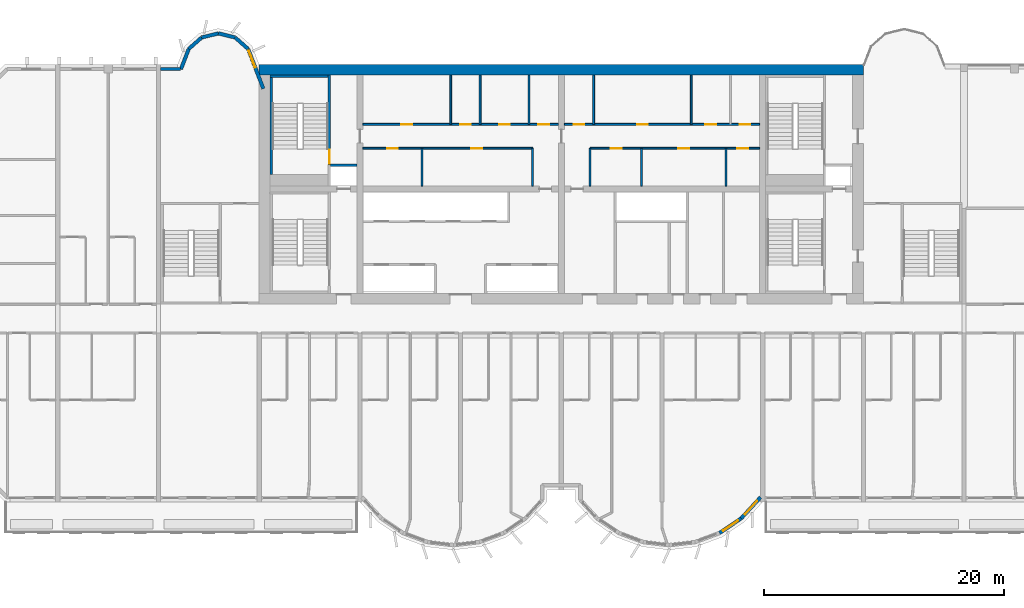
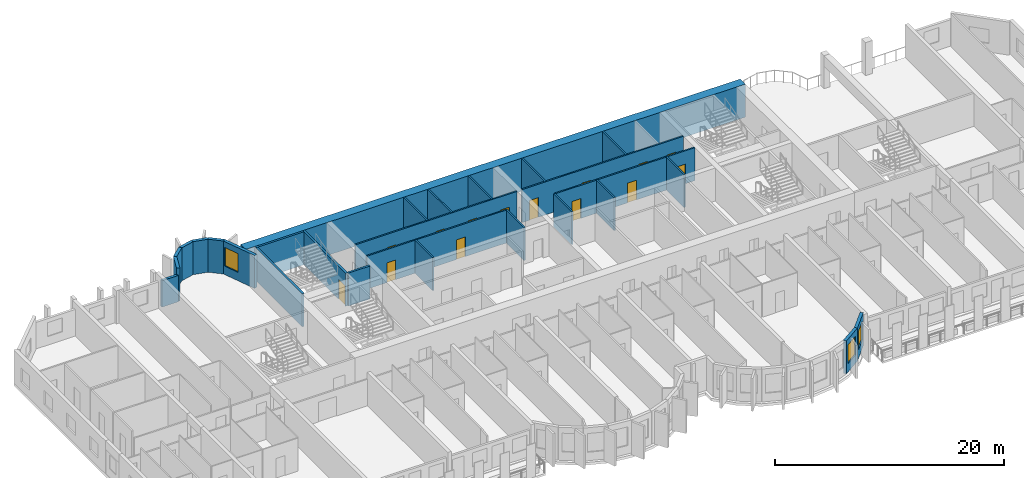
# One storey, part 8 of 15: 28 walls, 14 doors, 3 windows, 17 openings.
"""IFC4 building model written with IfcOpenShell, lengths in metres."""

from ifc_helpers import new_model, si_unit, direction, frame, frame_2d, origin, place, context, subcontext, project, spatial, rectangle, extrude, source, transform, mapped, material, layer, layer_set, type_object, element, fill, save


model = new_model("IFC4")

# Units and contexts
model_context = context("Model", 3, precision=1e-05, world=origin(), true_north=direction((0.0, 1.0)))
body_context = subcontext(model_context, "Body", "Model", "MODEL_VIEW")
ifc_project = project(units=[si_unit("LENGTHUNIT", "METRE"), si_unit("AREAUNIT", "SQUARE_METRE"), si_unit("VOLUMEUNIT", "CUBIC_METRE"), si_unit("PLANEANGLEUNIT", "RADIAN"), si_unit("MASSUNIT", "GRAM", prefix="KILO")], contexts=[model_context])

# Site, building, storey
site_placement = place(None, origin())
site = spatial("IfcSite", under=ifc_project, at=site_placement, CompositionType="ELEMENT")
building_placement = place(site_placement, origin())
building = spatial("IfcBuilding", under=site, at=building_placement, Name="Vanashikhar Sky Hotel", CompositionType="ELEMENT")
storey_placement = place(building_placement, frame((0.0, 0.0, 91.39990234375)))
storey = spatial("IfcBuildingStorey", under=building, at=storey_placement, Name="L21", CompositionType="ELEMENT", Elevation=91.39990234375)

# Wall
ifc_material_1 = material(Name="Concrete M70", Category="concrete")
ifc_layer_1 = layer(ifc_material_1, 0.89990234375)
ifc_layer_set_1 = layer_set([ifc_layer_1], Name="RC core shell wall 900 Concrete M70")
wall_type_1 = type_object("IfcWallType", Name="RC core shell wall 900 Concrete M70", PredefinedType="SHEAR", material=ifc_layer_set_1)
shared_shape_1 = source(origin(), body_context, "Body", "SweptSolid", [
    extrude(rectangle(XDim=50.400146484375, YDim=0.89990234375, at=frame_2d((25.2001953125, 0.0))), origin(), (0.0, 0.0, 1.0), 3.52001953125),
])
wall_1_placement = place(storey_placement, frame((25.199951171875, 41.550048828125, 0.0), z_axis=(0.0, 0.0, 1.0), x_axis=(1.0, 0.0, 0.0)))
element("IfcWall", 1, at=wall_1_placement, inside=storey, type_object=wall_type_1, Name="KW-L21-KN", PredefinedType="SHEAR", context=body_context, shape_type="MappedRepresentation", body=[
    mapped(shared_shape_1, transform((0.0, 0.0, 0.0), scale=1.0)),
])

# Wall, opening, window
ifc_material_2 = material(Name="Concrete M50", Category="concrete")
ifc_layer_2 = layer(ifc_material_2, 0.300048828125)
ifc_layer_set_2 = layer_set([ifc_layer_2], Name="Lobe wall 300")
wall_type_2 = type_object("IfcWallType", Name="Lobe wall 300", PredefinedType="SOLIDWALL", material=ifc_layer_set_2)
shared_shape_2 = source(origin(), body_context, "Body", "SweptSolid", [
    extrude(rectangle(XDim=2.398193359375, YDim=0.300048828125, at=frame_2d((1.19921875, 0.0))), origin(), (0.0, 0.0, 1.0), 3.52001953125),
])
wall_2_placement = place(storey_placement, frame((65.404296875, 4.13134765625, 0.0), z_axis=(0.0, 0.0, 1.0), x_axis=(0.675374189419, 0.737475222815, 0.0)))
wall_2 = element("IfcWall", 2, at=wall_2_placement, inside=storey, type_object=wall_type_2, Name="Lobe wall", PredefinedType="SOLIDWALL", context=body_context, shape_type="MappedRepresentation", body=[
    mapped(shared_shape_2, transform((0.0, 0.0, 0.0), scale=1.0)),
])
shared_shape_3 = source(origin(), body_context, "Body", "SweptSolid", [
    extrude(rectangle(XDim=1.5, YDim=2.0, at=frame_2d((0.75, 1.0))), frame((0.0, 0.16015625, 0.0), z_axis=(0.0, -1.0, 0.0), x_axis=(1.0, 0.0, 0.0)), (0.0, 0.0, 1.0), 0.320068359375),
])
opening_1_placement = place(wall_2_placement, frame((0.44921875, 0.0, 0.89990234375)))
opening_1 = element("IfcOpeningElement", 3, at=opening_1_placement, cuts=wall_2, Name="Opening WN-2", PredefinedType="OPENING", context=body_context, shape_type="MappedRepresentation", body=[
    mapped(shared_shape_3, transform((0.0, 0.0, 0.0), scale=1.0)),
])
ifc_material_3 = material(Name="Glass", Category="glass")
window_type = type_object("IfcWindowType", Name="Lobe window 1500 x 2000", PartitioningType="SINGLE_PANEL", PredefinedType="WINDOW", material=ifc_material_3)
shared_shape_4 = source(origin(), body_context, "Body", "SweptSolid", [
    extrude(rectangle(XDim=1.5, YDim=2.0, at=frame_2d((0.75, 1.0))), frame((0.0, 0.030029296875, 0.0), z_axis=(0.0, -1.0, 0.0), x_axis=(1.0, 0.0, 0.0)), (0.0, 0.0, 1.0), 0.06005859375),
])
window_1_placement = place(opening_1_placement, origin())
window_1 = element("IfcWindow", 4, at=window_1_placement, inside=storey, type_object=window_type, Name="Window WN-2", OverallHeight=2.0, OverallWidth=1.5, PartitioningType="SINGLE_PANEL", PredefinedType="WINDOW", context=body_context, shape_type="MappedRepresentation", body=[
    mapped(shared_shape_4, transform((0.0, 0.0, 0.0), scale=1.0)),
])
fill(opening_1, window_1)

shared_shape_5 = source(origin(), body_context, "Body", "SweptSolid", [
    extrude(rectangle(XDim=2.17578125, YDim=0.300048828125, at=frame_2d((1.087890625, 0.0))), origin(), (0.0, 0.0, 1.0), 3.52001953125),
])
wall_3_placement = place(storey_placement, frame((63.59912109375, 2.91650390625, 0.0), z_axis=(0.0, 0.0, 1.0), x_axis=(0.829625727223, 0.558319937607, 0.0)))
wall_3 = element("IfcWall", 5, at=wall_3_placement, inside=storey, type_object=wall_type_2, Name="Lobe wall", PredefinedType="SOLIDWALL", context=body_context, shape_type="MappedRepresentation", body=[
    mapped(shared_shape_5, transform((0.0, 0.0, 0.0), scale=1.0)),
])
opening_2_placement = place(wall_3_placement, frame((0.337890625, 0.0, 0.89990234375)))
opening_2 = element("IfcOpeningElement", 6, at=opening_2_placement, cuts=wall_3, Name="Opening WN-2", PredefinedType="OPENING", context=body_context, shape_type="MappedRepresentation", body=[
    mapped(shared_shape_3, transform((0.0, 0.0, 0.0), scale=1.0)),
])
window_2_placement = place(opening_2_placement, origin())
window_2 = element("IfcWindow", 7, at=window_2_placement, inside=storey, type_object=window_type, Name="Window WN-2", OverallHeight=2.0, OverallWidth=1.5, PartitioningType="SINGLE_PANEL", PredefinedType="WINDOW", context=body_context, shape_type="MappedRepresentation", body=[
    mapped(shared_shape_4, transform((0.0, 0.0, 0.0), scale=1.0)),
])
fill(opening_2, window_2)

shared_shape_6 = source(origin(), body_context, "Body", "SweptSolid", [
    extrude(rectangle(XDim=3.55908203125, YDim=0.300048828125, at=frame_2d((1.779541015625, 0.0))), origin(), (0.0, 0.0, 1.0), 3.52001953125),
])
wall_4_placement = place(storey_placement, frame((25.550048828125, 39.968505859375, 0.0), z_axis=(0.0, 0.0, 1.0), x_axis=(-0.35779745313, 0.933799219604, 0.0)))
wall_4 = element("IfcWall", 8, at=wall_4_placement, inside=storey, type_object=wall_type_2, Name="Lobe wall", PredefinedType="SOLIDWALL", context=body_context, shape_type="MappedRepresentation", body=[
    mapped(shared_shape_6, transform((0.0, 0.0, 0.0), scale=1.0)),
])
opening_3_placement = place(wall_4_placement, frame((1.9033203125, 0.0, 0.89990234375)))
opening_3 = element("IfcOpeningElement", 9, at=opening_3_placement, cuts=wall_4, Name="Opening WN-2", PredefinedType="OPENING", context=body_context, shape_type="MappedRepresentation", body=[
    mapped(shared_shape_3, transform((0.0, 0.0, 0.0), scale=1.0)),
])
window_3_placement = place(opening_3_placement, origin())
window_3 = element("IfcWindow", 10, at=window_3_placement, inside=storey, type_object=window_type, Name="Window WN-2", OverallHeight=2.0, OverallWidth=1.5, PartitioningType="SINGLE_PANEL", PredefinedType="WINDOW", context=body_context, shape_type="MappedRepresentation", body=[
    mapped(shared_shape_4, transform((0.0, 0.0, 0.0), scale=1.0)),
])
fill(opening_3, window_3)

# Walls
shared_shape_7 = source(origin(), body_context, "Body", "SweptSolid", [
    extrude(rectangle(XDim=1.440185546875, YDim=0.300048828125, at=frame_2d((0.72021484375, 0.0))), origin(), (0.0, 0.0, 1.0), 3.52001953125),
])
wall_5_placement = place(storey_placement, frame((24.276611328125, 43.2919921875, 0.0), z_axis=(0.0, 0.0, 1.0), x_axis=(-0.749649827867, 0.661834673902, 0.0)))
element("IfcWall", 11, at=wall_5_placement, inside=storey, type_object=wall_type_2, Name="Lobe wall", PredefinedType="SOLIDWALL", context=body_context, shape_type="MappedRepresentation", body=[
    mapped(shared_shape_7, transform((0.0, 0.0, 0.0), scale=1.0)),
])
shared_shape_8 = source(origin(), body_context, "Body", "SweptSolid", [
    extrude(rectangle(XDim=1.4384765625, YDim=0.300048828125, at=frame_2d((0.71923828125, 0.0))), origin(), (0.0, 0.0, 1.0), 3.52001953125),
])
wall_6_placement = place(storey_placement, frame((23.197021484375, 44.2451171875, 0.0), z_axis=(0.0, 0.0, 1.0), x_axis=(-0.971152283879, 0.238460146601, 0.0)))
element("IfcWall", 12, at=wall_6_placement, inside=storey, type_object=wall_type_2, Name="Lobe wall", PredefinedType="SOLIDWALL", context=body_context, shape_type="MappedRepresentation", body=[
    mapped(shared_shape_8, transform((0.0, 0.0, 0.0), scale=1.0)),
])
shared_shape_9 = source(origin(), body_context, "Body", "SweptSolid", [
    extrude(rectangle(XDim=1.438720703125, YDim=0.300048828125, at=frame_2d((0.71923828125, 0.0))), origin(), (0.0, 0.0, 1.0), 3.52001953125),
])
wall_7_placement = place(storey_placement, frame((21.800048828125, 44.588134765625, 0.0), z_axis=(0.0, 0.0, 1.0), x_axis=(-0.971161932466, -0.238420848351, 0.0)))
element("IfcWall", 13, at=wall_7_placement, inside=storey, type_object=wall_type_2, Name="Lobe wall", PredefinedType="SOLIDWALL", context=body_context, shape_type="MappedRepresentation", body=[
    mapped(shared_shape_9, transform((0.0, 0.0, 0.0), scale=1.0)),
])
shared_shape_10 = source(origin(), body_context, "Body", "SweptSolid", [
    extrude(rectangle(XDim=1.43994140625, YDim=0.300048828125, at=frame_2d((0.719970703125, 0.0))), origin(), (0.0, 0.0, 1.0), 3.52001953125),
])
wall_8_placement = place(storey_placement, frame((20.40283203125, 44.2451171875, 0.0), z_axis=(0.0, 0.0, 1.0), x_axis=(-0.74957555648, -0.661918790432, 0.0)))
element("IfcWall", 14, at=wall_8_placement, inside=storey, type_object=wall_type_2, Name="Lobe wall", PredefinedType="SOLIDWALL", context=body_context, shape_type="MappedRepresentation", body=[
    mapped(shared_shape_10, transform((0.0, 0.0, 0.0), scale=1.0)),
])
shared_shape_11 = source(origin(), body_context, "Body", "SweptSolid", [
    extrude(rectangle(XDim=1.81201171875, YDim=0.300048828125, at=frame_2d((0.906005859375, 0.0))), origin(), (0.0, 0.0, 1.0), 3.52001953125),
])
wall_9_placement = place(storey_placement, frame((19.323486328125, 43.2919921875, 0.0), z_axis=(0.0, 0.0, 1.0), x_axis=(-0.357877270961, -0.93376863244, 0.0)))
element("IfcWall", 15, at=wall_9_placement, inside=storey, type_object=wall_type_2, Name="Lobe wall", PredefinedType="SOLIDWALL", context=body_context, shape_type="MappedRepresentation", body=[
    mapped(shared_shape_11, transform((0.0, 0.0, 0.0), scale=1.0)),
])
ifc_layer_3 = layer(ifc_material_2, 0.25)
ifc_layer_set_3 = layer_set([ifc_layer_3], Name="Rear and end board-marked wall 250")
wall_type_3 = type_object("IfcWallType", Name="Rear and end board-marked wall 250", PredefinedType="SOLIDWALL", material=ifc_layer_set_3)
shared_shape_12 = source(origin(), body_context, "Body", "SweptSolid", [
    extrude(rectangle(XDim=1.682861328125, YDim=0.25, at=frame_2d((0.84130859375, 0.0))), origin(), (0.0, 0.0, 1.0), 2.820068359375),
])
wall_10_placement = place(storey_placement, frame((18.657958984375, 41.625, 0.0), z_axis=(0.0, 0.0, 1.0), x_axis=(-1.0, 0.0, 0.0)))
element("IfcWall", 16, at=wall_10_placement, inside=storey, type_object=wall_type_3, Name="Rear board-marked wall", PredefinedType="SOLIDWALL", context=body_context, shape_type="MappedRepresentation", body=[
    mapped(shared_shape_12, transform((0.0, 0.0, 0.0), scale=1.0)),
])
ifc_material_4 = material(Name="Gypsum board partition")
ifc_layer_4 = layer(ifc_material_4, 0.14990234375)
ifc_layer_set_4 = layer_set([ifc_layer_4], Name="Service partition 150")
wall_type_4 = type_object("IfcWallType", Name="Service partition 150", PredefinedType="PARTITIONING", material=ifc_layer_set_4)
shared_shape_13 = source(origin(), body_context, "Body", "SweptSolid", [
    extrude(rectangle(XDim=3.14990234375, YDim=0.14990234375, at=frame_2d((1.574951171875, 0.0))), origin(), (0.0, 0.0, 1.0), 3.52001953125),
])
for number, where, z_axis, x_axis, name in (
    (17, (48.0, 31.85009765625, 0.0), (0.0, 0.0, 1.0), (0.0, 1.0, 0.0), "Service partition 150"),
    (18, (38.77587890625, 31.85009765625, 0.0), (0.0, 0.0, 1.0), (0.0, 1.0, 0.0), "Service partition 150"),
    (19, (52.800048828125, 31.85009765625, 0.0), (0.0, 0.0, 1.0), (0.0, 1.0, 0.0), "Service partition 150"),
    (20, (64.135009765625, 31.85009765625, 0.0), (0.0, 0.0, 1.0), (0.0, 1.0, 0.0), "Service partition 150"),
    (21, (57.096923828125, 31.85009765625, 0.0), (0.0, 0.0, 1.0), (0.0, 1.0, 0.0), "Service partition 150"),
):
    element("IfcWall", number, at=place(storey_placement, frame(where, z_axis=z_axis, x_axis=x_axis)), inside=storey, type_object=wall_type_4, Name=name, PredefinedType="PARTITIONING", context=body_context, shape_type="MappedRepresentation", body=[
        mapped(shared_shape_13, transform((0.0, 0.0, 0.0), scale=1.0)),
    ])

# Wall, openings, doors
shared_shape_14 = source(origin(), body_context, "Body", "SweptSolid", [
    extrude(rectangle(XDim=14.14990234375, YDim=0.14990234375, at=frame_2d((7.074951171875, 0.0))), origin(), (0.0, 0.0, 1.0), 3.52001953125),
])
wall_11_placement = place(storey_placement, frame((33.85009765625, 35.0, 0.0), z_axis=(0.0, 0.0, 1.0), x_axis=(1.0, 0.0, 0.0)))
wall_11 = element("IfcWall", 22, at=wall_11_placement, inside=storey, type_object=wall_type_4, Name="Service partition 150", PredefinedType="PARTITIONING", context=body_context, shape_type="MappedRepresentation", body=[
    mapped(shared_shape_14, transform((0.0, 0.0, 0.0), scale=1.0)),
])
shared_shape_15 = source(origin(), body_context, "Body", "SweptSolid", [
    extrude(rectangle(XDim=0.89990234375, YDim=2.10009765625, at=frame_2d((0.449951171875, 1.050048828125))), frame((0.0, 0.0849609375, 0.0), z_axis=(0.0, -1.0, 0.0), x_axis=(1.0, 0.0, 0.0)), (0.0, 0.0, 1.0), 0.169921875),
])
opening_4_placement = place(wall_11_placement, frame((2.012939453125, 0.0, 0.0)))
opening_4 = element("IfcOpeningElement", 23, at=opening_4_placement, cuts=wall_11, Name="Opening DC-4-A", PredefinedType="OPENING", context=body_context, shape_type="MappedRepresentation", body=[
    mapped(shared_shape_15, transform((0.0, 0.0, 0.0), scale=1.0)),
])
opening_5_placement = place(wall_11_placement, frame((9.051025390625, 0.0, 0.0)))
opening_5 = element("IfcOpeningElement", 24, at=opening_5_placement, cuts=wall_11, Name="Opening DC-4-A", PredefinedType="OPENING", context=body_context, shape_type="MappedRepresentation", body=[
    mapped(shared_shape_15, transform((0.0, 0.0, 0.0), scale=1.0)),
])
ifc_material_5 = material(Name="Steel", Category="steel")
door_type_1 = type_object("IfcDoorType", Name="Service door 900 FD60", OperationType="NOTDEFINED", PredefinedType="DOOR", material=ifc_material_5)
shared_shape_16 = source(origin(), body_context, "Body", "SweptSolid", [
    extrude(rectangle(XDim=0.89990234375, YDim=2.10009765625, at=frame_2d((0.449951171875, 1.050048828125))), frame((0.0, 0.02490234375, 0.0), z_axis=(0.0, -1.0, 0.0), x_axis=(1.0, 0.0, 0.0)), (0.0, 0.0, 1.0), 0.050048828125),
])
door_1_placement = place(opening_4_placement, origin())
door_1 = element("IfcDoor", 25, at=door_1_placement, inside=storey, type_object=door_type_1, Name="Service door 900 FD60", OperationType="SINGLE_SWING_RIGHT", OverallHeight=2.10009765625, OverallWidth=0.89990234375, PredefinedType="DOOR", context=body_context, shape_type="MappedRepresentation", body=[
    mapped(shared_shape_16, transform((0.0, 0.0, 0.0), scale=1.0)),
])
fill(opening_4, door_1)
door_2_placement = place(opening_5_placement, origin())
door_2 = element("IfcDoor", 26, at=door_2_placement, inside=storey, type_object=door_type_1, Name="Service door 900 FD60", OperationType="SINGLE_SWING_RIGHT", OverallHeight=2.10009765625, OverallWidth=0.89990234375, PredefinedType="DOOR", context=body_context, shape_type="MappedRepresentation", body=[
    mapped(shared_shape_16, transform((0.0, 0.0, 0.0), scale=1.0)),
])
fill(opening_5, door_2)

wall_12_placement = place(storey_placement, frame((66.949951171875, 35.0, 0.0), z_axis=(0.0, 0.0, 1.0), x_axis=(-1.0, 0.0, 0.0)))
wall_12 = element("IfcWall", 27, at=wall_12_placement, inside=storey, type_object=wall_type_4, Name="Service partition 150", PredefinedType="PARTITIONING", context=body_context, shape_type="MappedRepresentation", body=[
    mapped(shared_shape_14, transform((0.0, 0.0, 0.0), scale=1.0)),
])
opening_6_placement = place(wall_12_placement, frame((0.9580078125, 0.0, 0.0)))
opening_6 = element("IfcOpeningElement", 28, at=opening_6_placement, cuts=wall_12, Name="Opening DC-4-A", PredefinedType="OPENING", context=body_context, shape_type="MappedRepresentation", body=[
    mapped(shared_shape_15, transform((0.0, 0.0, 0.0), scale=1.0)),
])
opening_7_placement = place(wall_12_placement, frame((5.884033203125, 0.0, 0.0)))
opening_7 = element("IfcOpeningElement", 29, at=opening_7_placement, cuts=wall_12, Name="Opening DC-4-A", PredefinedType="OPENING", context=body_context, shape_type="MappedRepresentation", body=[
    mapped(shared_shape_15, transform((0.0, 0.0, 0.0), scale=1.0)),
])
opening_8_placement = place(wall_12_placement, frame((11.513916015625, 0.0, 0.0)))
opening_8 = element("IfcOpeningElement", 30, at=opening_8_placement, cuts=wall_12, Name="Opening DC-4-A", PredefinedType="OPENING", context=body_context, shape_type="MappedRepresentation", body=[
    mapped(shared_shape_15, transform((0.0, 0.0, 0.0), scale=1.0)),
])
door_3_placement = place(opening_6_placement, origin())
door_3 = element("IfcDoor", 31, at=door_3_placement, inside=storey, type_object=door_type_1, Name="Service door 900 FD60", OperationType="SINGLE_SWING_RIGHT", OverallHeight=2.10009765625, OverallWidth=0.89990234375, PredefinedType="DOOR", context=body_context, shape_type="MappedRepresentation", body=[
    mapped(shared_shape_16, transform((0.0, 0.0, 0.0), scale=1.0)),
])
fill(opening_6, door_3)
door_4_placement = place(opening_7_placement, origin())
door_4 = element("IfcDoor", 32, at=door_4_placement, inside=storey, type_object=door_type_1, Name="Service door 900 FD60", OperationType="SINGLE_SWING_RIGHT", OverallHeight=2.10009765625, OverallWidth=0.89990234375, PredefinedType="DOOR", context=body_context, shape_type="MappedRepresentation", body=[
    mapped(shared_shape_16, transform((0.0, 0.0, 0.0), scale=1.0)),
])
fill(opening_7, door_4)
door_5_placement = place(opening_8_placement, origin())
door_5 = element("IfcDoor", 33, at=door_5_placement, inside=storey, type_object=door_type_1, Name="Service door 900 FD60", OperationType="SINGLE_SWING_LEFT", OverallHeight=2.10009765625, OverallWidth=0.89990234375, PredefinedType="DOOR", context=body_context, shape_type="MappedRepresentation", body=[
    mapped(shared_shape_16, transform((0.0, 0.0, 0.0), scale=1.0)),
])
fill(opening_8, door_5)

shared_shape_17 = source(origin(), body_context, "Body", "SweptSolid", [
    extrude(rectangle(XDim=16.2998046875, YDim=0.14990234375, at=frame_2d((8.14990234375, 0.0))), origin(), (0.0, 0.0, 1.0), 3.52001953125),
])
wall_13_placement = place(storey_placement, frame((33.85009765625, 37.0, 0.0), z_axis=(0.0, 0.0, 1.0), x_axis=(1.0, 0.0, 0.0)))
wall_13 = element("IfcWall", 34, at=wall_13_placement, inside=storey, type_object=wall_type_4, Name="Service partition 150", PredefinedType="PARTITIONING", context=body_context, shape_type="MappedRepresentation", body=[
    mapped(shared_shape_17, transform((0.0, 0.0, 0.0), scale=1.0)),
])
opening_9_placement = place(wall_13_placement, frame((3.217041015625, 0.0, 0.0)))
opening_9 = element("IfcOpeningElement", 35, at=opening_9_placement, cuts=wall_13, Name="Opening DC-4-A", PredefinedType="OPENING", context=body_context, shape_type="MappedRepresentation", body=[
    mapped(shared_shape_15, transform((0.0, 0.0, 0.0), scale=1.0)),
])
opening_10_placement = place(wall_13_placement, frame((8.10693359375, 0.0, 0.0)))
opening_10 = element("IfcOpeningElement", 36, at=opening_10_placement, cuts=wall_13, Name="Opening DC-4-A", PredefinedType="OPENING", context=body_context, shape_type="MappedRepresentation", body=[
    mapped(shared_shape_15, transform((0.0, 0.0, 0.0), scale=1.0)),
])
opening_11_placement = place(wall_13_placement, frame((11.367919921875, 0.0, 0.0)))
opening_11 = element("IfcOpeningElement", 37, at=opening_11_placement, cuts=wall_13, Name="Opening DC-4-A", PredefinedType="OPENING", context=body_context, shape_type="MappedRepresentation", body=[
    mapped(shared_shape_15, transform((0.0, 0.0, 0.0), scale=1.0)),
])
opening_12_placement = place(wall_13_placement, frame((14.626953125, 0.0, 0.0)))
opening_12 = element("IfcOpeningElement", 38, at=opening_12_placement, cuts=wall_13, Name="Opening DC-4-A", PredefinedType="OPENING", context=body_context, shape_type="MappedRepresentation", body=[
    mapped(shared_shape_15, transform((0.0, 0.0, 0.0), scale=1.0)),
])
door_6_placement = place(opening_9_placement, origin())
door_6 = element("IfcDoor", 39, at=door_6_placement, inside=storey, type_object=door_type_1, Name="Service door 900 FD60", OperationType="SINGLE_SWING_RIGHT", OverallHeight=2.10009765625, OverallWidth=0.89990234375, PredefinedType="DOOR", context=body_context, shape_type="MappedRepresentation", body=[
    mapped(shared_shape_16, transform((0.0, 0.0, 0.0), scale=1.0)),
])
fill(opening_9, door_6)
door_7_placement = place(opening_10_placement, origin())
door_7 = element("IfcDoor", 40, at=door_7_placement, inside=storey, type_object=door_type_1, Name="Service door 900 FD60", OperationType="SINGLE_SWING_RIGHT", OverallHeight=2.10009765625, OverallWidth=0.89990234375, PredefinedType="DOOR", context=body_context, shape_type="MappedRepresentation", body=[
    mapped(shared_shape_16, transform((0.0, 0.0, 0.0), scale=1.0)),
])
fill(opening_10, door_7)
door_8_placement = place(opening_11_placement, origin())
door_8 = element("IfcDoor", 41, at=door_8_placement, inside=storey, type_object=door_type_1, Name="Service door 900 FD60", OperationType="SINGLE_SWING_RIGHT", OverallHeight=2.10009765625, OverallWidth=0.89990234375, PredefinedType="DOOR", context=body_context, shape_type="MappedRepresentation", body=[
    mapped(shared_shape_16, transform((0.0, 0.0, 0.0), scale=1.0)),
])
fill(opening_11, door_8)
door_9_placement = place(opening_12_placement, origin())
door_9 = element("IfcDoor", 42, at=door_9_placement, inside=storey, type_object=door_type_1, Name="Service door 900 FD60", OperationType="SINGLE_SWING_LEFT", OverallHeight=2.10009765625, OverallWidth=0.89990234375, PredefinedType="DOOR", context=body_context, shape_type="MappedRepresentation", body=[
    mapped(shared_shape_16, transform((0.0, 0.0, 0.0), scale=1.0)),
])
fill(opening_12, door_9)

# Walls
shared_shape_18 = source(origin(), body_context, "Body", "SweptSolid", [
    extrude(rectangle(XDim=4.10009765625, YDim=0.14990234375, at=frame_2d((2.050048828125, 0.0))), origin(), (0.0, 0.0, 1.0), 3.52001953125),
])
for number, where, z_axis, x_axis, name in (
    (43, (41.18505859375, 37.0, 0.0), (0.0, 0.0, 1.0), (0.0, 1.0, 0.0), "Service partition 150"),
    (44, (43.6298828125, 37.0, 0.0), (0.0, 0.0, 1.0), (0.0, 1.0, 0.0), "Service partition 150"),
    (45, (47.705078125, 37.0, 0.0), (0.0, 0.0, 1.0), (0.0, 1.0, 0.0), "Service partition 150"),
    (46, (61.2451171875, 37.0, 0.0), (0.0, 0.0, 1.0), (0.0, 1.0, 0.0), "Service partition 150"),
    (47, (53.094970703125, 37.0, 0.0), (0.0, 0.0, 1.0), (0.0, 1.0, 0.0), "Service partition 150"),
):
    element("IfcWall", number, at=place(storey_placement, frame(where, z_axis=z_axis, x_axis=x_axis)), inside=storey, type_object=wall_type_4, Name=name, PredefinedType="PARTITIONING", context=body_context, shape_type="MappedRepresentation", body=[
        mapped(shared_shape_18, transform((0.0, 0.0, 0.0), scale=1.0)),
    ])

# Wall, openings, doors
shared_shape_19 = source(origin(), body_context, "Body", "SweptSolid", [
    extrude(rectangle(XDim=16.300048828125, YDim=0.14990234375, at=frame_2d((8.14990234375, 0.0))), origin(), (0.0, 0.0, 1.0), 3.52001953125),
])
wall_14_placement = place(storey_placement, frame((66.949951171875, 37.0, 0.0), z_axis=(0.0, 0.0, 1.0), x_axis=(-1.0, 0.0, 0.0)))
wall_14 = element("IfcWall", 48, at=wall_14_placement, inside=storey, type_object=wall_type_4, Name="Service partition 150", PredefinedType="PARTITIONING", context=body_context, shape_type="MappedRepresentation", body=[
    mapped(shared_shape_19, transform((0.0, 0.0, 0.0), scale=1.0)),
])
opening_13_placement = place(wall_14_placement, frame((0.77294921875, 0.0, 0.0)))
opening_13 = element("IfcOpeningElement", 49, at=opening_13_placement, cuts=wall_14, Name="Opening DC-4-A", PredefinedType="OPENING", context=body_context, shape_type="MappedRepresentation", body=[
    mapped(shared_shape_15, transform((0.0, 0.0, 0.0), scale=1.0)),
])
opening_14_placement = place(wall_14_placement, frame((3.625, 0.0, 0.0)))
opening_14 = element("IfcOpeningElement", 50, at=opening_14_placement, cuts=wall_14, Name="Opening DC-4-A", PredefinedType="OPENING", context=body_context, shape_type="MappedRepresentation", body=[
    mapped(shared_shape_15, transform((0.0, 0.0, 0.0), scale=1.0)),
])
opening_15_placement = place(wall_14_placement, frame((9.330078125, 0.0, 0.0)))
opening_15 = element("IfcOpeningElement", 51, at=opening_15_placement, cuts=wall_14, Name="Opening DC-4-A", PredefinedType="OPENING", context=body_context, shape_type="MappedRepresentation", body=[
    mapped(shared_shape_15, transform((0.0, 0.0, 0.0), scale=1.0)),
])
opening_16_placement = place(wall_14_placement, frame((14.626953125, 0.0, 0.0)))
opening_16 = element("IfcOpeningElement", 52, at=opening_16_placement, cuts=wall_14, Name="Opening DC-4-A", PredefinedType="OPENING", context=body_context, shape_type="MappedRepresentation", body=[
    mapped(shared_shape_15, transform((0.0, 0.0, 0.0), scale=1.0)),
])
door_10_placement = place(opening_13_placement, origin())
door_10 = element("IfcDoor", 53, at=door_10_placement, inside=storey, type_object=door_type_1, Name="Service door 900 FD60", OperationType="SINGLE_SWING_LEFT", OverallHeight=2.10009765625, OverallWidth=0.89990234375, PredefinedType="DOOR", context=body_context, shape_type="MappedRepresentation", body=[
    mapped(shared_shape_16, transform((0.0, 0.0, 0.0), scale=1.0)),
])
fill(opening_13, door_10)
door_11_placement = place(opening_14_placement, origin())
door_11 = element("IfcDoor", 54, at=door_11_placement, inside=storey, type_object=door_type_1, Name="Service door 900 FD60", OperationType="SINGLE_SWING_RIGHT", OverallHeight=2.10009765625, OverallWidth=0.89990234375, PredefinedType="DOOR", context=body_context, shape_type="MappedRepresentation", body=[
    mapped(shared_shape_16, transform((0.0, 0.0, 0.0), scale=1.0)),
])
fill(opening_14, door_11)
door_12_placement = place(opening_15_placement, origin())
door_12 = element("IfcDoor", 55, at=door_12_placement, inside=storey, type_object=door_type_1, Name="Service door 900 FD60", OperationType="SINGLE_SWING_RIGHT", OverallHeight=2.10009765625, OverallWidth=0.89990234375, PredefinedType="DOOR", context=body_context, shape_type="MappedRepresentation", body=[
    mapped(shared_shape_16, transform((0.0, 0.0, 0.0), scale=1.0)),
])
fill(opening_15, door_12)
door_13_placement = place(opening_16_placement, origin())
door_13 = element("IfcDoor", 56, at=door_13_placement, inside=storey, type_object=door_type_1, Name="Service door 900 FD60", OperationType="SINGLE_SWING_RIGHT", OverallHeight=2.10009765625, OverallWidth=0.89990234375, PredefinedType="DOOR", context=body_context, shape_type="MappedRepresentation", body=[
    mapped(shared_shape_16, transform((0.0, 0.0, 0.0), scale=1.0)),
])
fill(opening_16, door_13)

# Wall
ifc_material_6 = material(Name="Concrete M40", Category="concrete")
ifc_layer_5 = layer(ifc_material_6, 0.199951171875)
ifc_layer_set_5 = layer_set([ifc_layer_5], Name="Shaft wall 200")
wall_type_5 = type_object("IfcWallType", Name="Shaft wall 200", PredefinedType="SOLIDWALL", material=ifc_layer_set_5)
shared_shape_20 = source(origin(), body_context, "Body", "SweptSolid", [
    extrude(rectangle(XDim=2.2001953125, YDim=0.199951171875, at=frame_2d((1.10009765625, 0.0))), origin(), (0.0, 0.0, 1.0), 3.52001953125),
])
wall_15_placement = place(storey_placement, frame((31.14990234375, 33.60009765625, 0.0), z_axis=(0.0, 0.0, 1.0), x_axis=(1.0, 0.0, 0.0)))
element("IfcWall", 57, at=wall_15_placement, inside=storey, type_object=wall_type_5, Name="Shaft wall 200", PredefinedType="SOLIDWALL", context=body_context, shape_type="MappedRepresentation", body=[
    mapped(shared_shape_20, transform((0.0, 0.0, 0.0), scale=1.0)),
])

# Wall, opening, door
ifc_layer_6 = layer(ifc_material_2, 0.199951171875)
ifc_layer_set_6 = layer_set([ifc_layer_6], Name="Stair wall 200")
wall_type_6 = type_object("IfcWallType", Name="Stair wall 200", PredefinedType="SOLIDWALL", material=ifc_layer_set_6)
shared_shape_21 = source(origin(), body_context, "Body", "SweptSolid", [
    extrude(rectangle(XDim=7.5, YDim=0.199951171875, at=frame_2d((3.75, 0.0))), origin(), (0.0, 0.0, 1.0), 3.52001953125),
])
wall_16_placement = place(storey_placement, frame((31.050048828125, 33.60009765625, 0.0), z_axis=(0.0, 0.0, 1.0), x_axis=(0.0, 1.0, 0.0)))
wall_16 = element("IfcWall", 58, at=wall_16_placement, inside=storey, type_object=wall_type_6, Name="Stair wall 200", PredefinedType="SOLIDWALL", context=body_context, shape_type="MappedRepresentation", body=[
    mapped(shared_shape_21, transform((0.0, 0.0, 0.0), scale=1.0)),
])
shared_shape_22 = source(origin(), body_context, "Body", "SweptSolid", [
    extrude(rectangle(XDim=1.199951171875, YDim=2.10009765625, at=frame_2d((0.60009765625, 1.050048828125))), frame((0.0, 0.10986328125, 0.0), z_axis=(0.0, -1.0, 0.0), x_axis=(1.0, 0.0, 0.0)), (0.0, 0.0, 1.0), 0.219970703125),
])
opening_17_placement = place(wall_16_placement, frame((0.10009765625, 0.0, 0.0)))
opening_17 = element("IfcOpeningElement", 59, at=opening_17_placement, cuts=wall_16, Name="Opening DC-1", PredefinedType="OPENING", context=body_context, shape_type="MappedRepresentation", body=[
    mapped(shared_shape_22, transform((0.0, 0.0, 0.0), scale=1.0)),
])
door_type_2 = type_object("IfcDoorType", Name="Stair door 1200 FD120", OperationType="NOTDEFINED", PredefinedType="DOOR", material=ifc_material_5)
shared_shape_23 = source(origin(), body_context, "Body", "SweptSolid", [
    extrude(rectangle(XDim=1.199951171875, YDim=2.10009765625, at=frame_2d((0.60009765625, 1.050048828125))), frame((0.0, 0.02490234375, 0.0), z_axis=(0.0, -1.0, 0.0), x_axis=(1.0, 0.0, 0.0)), (0.0, 0.0, 1.0), 0.050048828125),
])
door_14_placement = place(opening_17_placement, origin())
door_14 = element("IfcDoor", 60, at=door_14_placement, inside=storey, type_object=door_type_2, Name="Stair door 1200 FD120", OperationType="SINGLE_SWING_RIGHT", OverallHeight=2.10009765625, OverallWidth=1.199951171875, PredefinedType="DOOR", context=body_context, shape_type="MappedRepresentation", body=[
    mapped(shared_shape_23, transform((0.0, 0.0, 0.0), scale=1.0)),
])
fill(opening_17, door_14)

# Walls
ifc_layer_7 = layer(ifc_material_2, 0.199951171875)
ifc_layer_set_7 = layer_set([ifc_layer_7], Name="Stair infill wall 200")
wall_type_7 = type_object("IfcWallType", Name="Stair infill wall 200", PredefinedType="SOLIDWALL", material=ifc_layer_set_7)
shared_shape_24 = source(origin(), body_context, "Body", "SweptSolid", [
    extrude(rectangle(XDim=4.849853515625, YDim=0.199951171875, at=frame_2d((2.4248046875, 0.0))), origin(), (0.0, 0.0, 1.0), 3.52001953125),
])
wall_17_placement = place(storey_placement, frame((26.10009765625, 41.0, 0.0), z_axis=(0.0, 0.0, 1.0), x_axis=(1.0, 0.0, 0.0)))
element("IfcWall", 61, at=wall_17_placement, inside=storey, type_object=wall_type_7, Name="Stair infill wall 200", PredefinedType="SOLIDWALL", context=body_context, shape_type="MappedRepresentation", body=[
    mapped(shared_shape_24, transform((0.0, 0.0, 0.0), scale=1.0)),
])
shared_shape_25 = source(origin(), body_context, "Body", "SweptSolid", [
    extrude(rectangle(XDim=8.099853515625, YDim=0.199951171875, at=frame_2d((4.0498046875, 0.0))), origin(), (0.0, 0.0, 1.0), 3.52001953125),
])
wall_18_placement = place(storey_placement, frame((26.199951171875, 32.800048828125, 0.0), z_axis=(0.0, 0.0, 1.0), x_axis=(0.0, 1.0, 0.0)))
element("IfcWall", 62, at=wall_18_placement, inside=storey, type_object=wall_type_7, Name="Stair infill wall 200", PredefinedType="SOLIDWALL", context=body_context, shape_type="MappedRepresentation", body=[
    mapped(shared_shape_25, transform((0.0, 0.0, 0.0), scale=1.0)),
])

save(model, "model.ifc")
